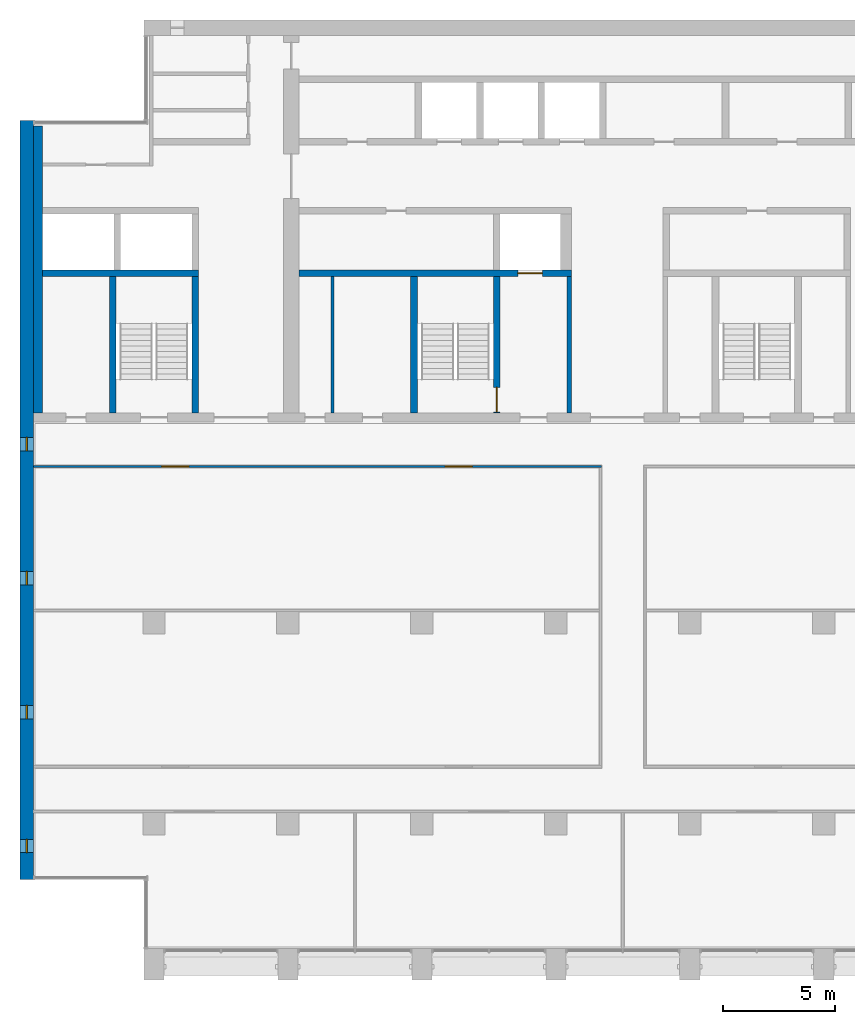
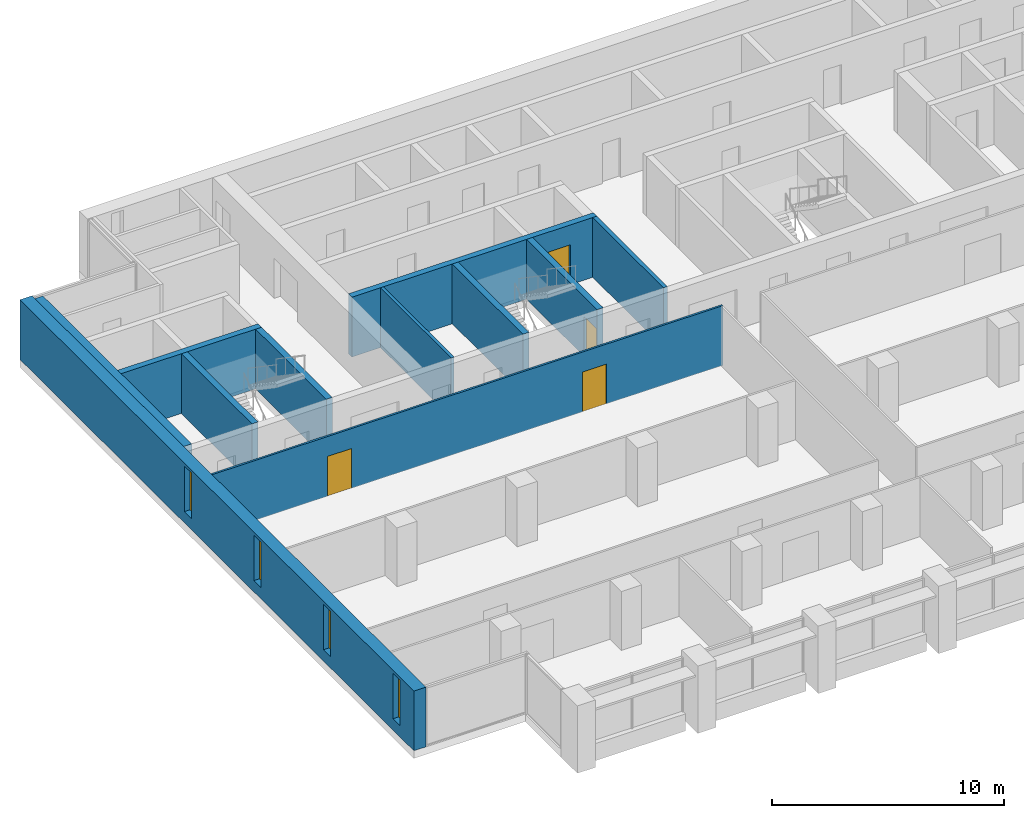
# One storey, part 8 of 16: 11 walls, 4 doors, 4 windows, 8 openings.
"""IFC4 building model written with IfcOpenShell, lengths in metres."""

from ifc_helpers import new_model, si_unit, direction, frame, frame_2d, origin, place, context, subcontext, project, spatial, rectangle, extrude, material, layer, layer_set, type_object, element, fill, save


model = new_model("IFC4")

# Units and contexts
model_context = context("Model", 3, precision=1e-05, world=origin(), true_north=direction((0.0, 1.0)))
body_context = subcontext(model_context, "Body", "Model", "MODEL_VIEW")
ifc_project = project(units=[si_unit("LENGTHUNIT", "METRE"), si_unit("AREAUNIT", "SQUARE_METRE"), si_unit("VOLUMEUNIT", "CUBIC_METRE"), si_unit("PLANEANGLEUNIT", "RADIAN"), si_unit("MASSUNIT", "GRAM", prefix="KILO")], contexts=[model_context])

# Site, building, storey
site_placement = place(None, origin())
site = spatial("IfcSite", under=ifc_project, at=site_placement, CompositionType="ELEMENT")
building_placement = place(site_placement, origin())
building = spatial("IfcBuilding", under=site, at=building_placement, Name="Calvaro Tower", CompositionType="ELEMENT")
storey_placement = place(building_placement, frame((0.0, 0.0, 223.0)))
storey = spatial("IfcBuildingStorey", under=building, at=storey_placement, Name="L56", CompositionType="ELEMENT", Elevation=223.0)

# Walls
ifc_material_1 = material(Name="Blockwork partition", Category="masonry")
ifc_layer_1 = layer(ifc_material_1, 0.14990234375)
ifc_layer_set_1 = layer_set([ifc_layer_1], Name="Blockwork partition")
wall_type_1 = type_object("IfcWallType", Name="Core partition 150 REI 120", PredefinedType="PARTITIONING", material=ifc_layer_set_1)
wall_1_placement = place(storey_placement, frame((20.0, 28.39990234375, 0.0), z_axis=(0.0, 0.0, 1.0), x_axis=(0.0, 1.0, 0.0)))
element("IfcWall", 1, at=wall_1_placement, inside=storey, type_object=wall_type_1, Name="Core partition", PredefinedType="PARTITIONING", context=body_context, shape_type="SweptSolid", body=[
    extrude(rectangle(XDim=6.10009765625, YDim=0.14990234375, at=frame_2d((3.050048828125, 0.0))), origin(), (0.0, 0.0, 1.0), 3.14990234375),
])
ifc_material_2 = material(Name="Blockwork partition", Category="masonry")
ifc_layer_2 = layer(ifc_material_2, 0.199951171875)
ifc_layer_set_2 = layer_set([ifc_layer_2], Name="Blockwork partition")
wall_type_2 = type_object("IfcWallType", Name="Core partition 200 REI 120", PredefinedType="PARTITIONING", material=ifc_layer_set_2)
wall_2_placement = place(storey_placement, frame((30.60009765625, 28.39990234375, 0.0), z_axis=(0.0, 0.0, 1.0), x_axis=(0.0, 1.0, 0.0)))
element("IfcWall", 2, at=wall_2_placement, inside=storey, type_object=wall_type_2, Name="Core partition", PredefinedType="PARTITIONING", context=body_context, shape_type="SweptSolid", body=[
    extrude(rectangle(XDim=6.10009765625, YDim=0.199951171875, at=frame_2d((3.050048828125, 0.0))), origin(), (0.0, 0.0, 1.0), 3.14990234375),
])
ifc_material_3 = material(Name="Concrete C50/60", Category="concrete")
ifc_layer_3 = layer(ifc_material_3, 0.300048828125)
ifc_layer_set_3 = layer_set([ifc_layer_3], Name="Concrete C50/60")
wall_type_3 = type_object("IfcWallType", Name="Core wall C50/60 300", PredefinedType="SHEAR", material=ifc_layer_set_3)
for number, where, z_axis, x_axis, name in (
    (3, (10.14990234375, 28.39990234375, 0.0), (0.0, 0.0, 1.0), (0.0, 1.0, 0.0), "Core wall, stair enclosure"),
    (4, (13.85009765625, 28.39990234375, 0.0), (0.0, 0.0, 1.0), (0.0, 1.0, 0.0), "Core wall, stair enclosure"),
    (5, (23.64990234375, 28.39990234375, 0.0), (0.0, 0.0, 1.0), (0.0, 1.0, 0.0), "Core wall, stair enclosure"),
):
    element("IfcWall", number, at=place(storey_placement, frame(where, z_axis=z_axis, x_axis=x_axis)), inside=storey, type_object=wall_type_3, Name=name, PredefinedType="SHEAR", context=body_context, shape_type="SweptSolid", body=[
        extrude(rectangle(XDim=6.10009765625, YDim=0.300048828125, at=frame_2d((3.050048828125, 0.0))), origin(), (0.0, 0.0, 1.0), 3.14990234375),
    ])

# Wall, opening, door
wall_3_placement = place(storey_placement, frame((27.35009765625, 28.39990234375, 0.0), z_axis=(0.0, 0.0, 1.0), x_axis=(0.0, 1.0, 0.0)))
wall_3 = element("IfcWall", 6, at=wall_3_placement, inside=storey, type_object=wall_type_3, Name="Core wall, stair enclosure", PredefinedType="SHEAR", context=body_context, shape_type="SweptSolid", body=[
    extrude(rectangle(XDim=6.10009765625, YDim=0.300048828125, at=frame_2d((3.050048828125, 0.0))), origin(), (0.0, 0.0, 1.0), 3.14990234375),
])
opening_1_placement = place(wall_3_placement, frame((0.050048828125, 0.0, 0.0)))
opening_1 = element("IfcOpeningElement", 7, at=opening_1_placement, cuts=wall_3, Name="Opening FD11D", PredefinedType="OPENING", context=body_context, shape_type="SweptSolid", body=[
    extrude(rectangle(XDim=1.10009765625, YDim=2.10009765625, at=frame_2d((0.550048828125, 1.050048828125))), frame((0.0, 0.159912109375, 0.0), z_axis=(0.0, -1.0, 0.0), x_axis=(1.0, 0.0, 0.0)), (0.0, 0.0, 1.0), 0.320068359375),
])
ifc_material_4 = material(Name="Steel door set", Category="steel")
door_type_1 = type_object("IfcDoorType", Name="Fire door 1100 FD30S", OperationType="SINGLE_SWING_LEFT", PredefinedType="DOOR", material=ifc_material_4)
door_1_placement = place(opening_1_placement, origin())
door_1 = element("IfcDoor", 8, at=door_1_placement, inside=storey, type_object=door_type_1, Name="Fire door", OperationType="SINGLE_SWING_LEFT", OverallHeight=2.10009765625, OverallWidth=1.10009765625, PredefinedType="DOOR", context=body_context, shape_type="SweptSolid", body=[
    extrude(rectangle(XDim=1.10009765625, YDim=2.10009765625, at=frame_2d((0.550048828125, 1.050048828125))), frame((0.0, 0.02490234375, 0.0), z_axis=(0.0, -1.0, 0.0), x_axis=(1.0, 0.0, 0.0)), (0.0, 0.0, 1.0), 0.050048828125),
])
fill(opening_1, door_1)

# Wall
wall_4_placement = place(storey_placement, frame((7.0, 34.64990234375, 0.0), z_axis=(0.0, 0.0, 1.0), x_axis=(1.0, 0.0, 0.0)))
element("IfcWall", 9, at=wall_4_placement, inside=storey, type_object=wall_type_3, Name="Core wall, lift shaft", PredefinedType="SHEAR", context=body_context, shape_type="SweptSolid", body=[
    extrude(rectangle(XDim=7.0, YDim=0.300048828125, at=frame_2d((3.5, 0.0))), origin(), (0.0, 0.0, 1.0), 3.14990234375),
])

# Wall, opening, door
wall_5_placement = place(storey_placement, frame((18.5, 34.64990234375, 0.0), z_axis=(0.0, 0.0, 1.0), x_axis=(1.0, 0.0, 0.0)))
wall_5 = element("IfcWall", 10, at=wall_5_placement, inside=storey, type_object=wall_type_3, Name="Core wall, lift shaft", PredefinedType="SHEAR", context=body_context, shape_type="SweptSolid", body=[
    extrude(rectangle(XDim=12.199951171875, YDim=0.300048828125, at=frame_2d((6.10009765625, 0.0))), origin(), (0.0, 0.0, 1.0), 3.14990234375),
])
opening_2_placement = place(wall_5_placement, frame((9.800048828125, 0.0, 0.0)))
opening_2 = element("IfcOpeningElement", 11, at=opening_2_placement, cuts=wall_5, Name="Opening FF1", PredefinedType="OPENING", context=body_context, shape_type="SweptSolid", body=[
    extrude(rectangle(XDim=1.10009765625, YDim=2.10009765625, at=frame_2d((0.550048828125, 1.050048828125))), frame((0.0, 0.159912109375, 0.0), z_axis=(0.0, -1.0, 0.0), x_axis=(1.0, 0.0, 0.0)), (0.0, 0.0, 1.0), 0.320068359375),
])
ifc_material_5 = material(Name="Stainless steel", Category="steel")
door_type_2 = type_object("IfcDoorType", Name="Landing door 1100 E 60", OperationType="SLIDING_TO_LEFT", PredefinedType="DOOR", material=ifc_material_5)
door_2_placement = place(opening_2_placement, origin())
door_2 = element("IfcDoor", 12, at=door_2_placement, inside=storey, type_object=door_type_2, Name="Landing door FF1", OperationType="SLIDING_TO_LEFT", OverallHeight=2.10009765625, OverallWidth=1.10009765625, PredefinedType="DOOR", context=body_context, shape_type="SweptSolid", body=[
    extrude(rectangle(XDim=1.10009765625, YDim=2.10009765625, at=frame_2d((0.550048828125, 1.050048828125))), frame((0.0, 0.02490234375, 0.0), z_axis=(0.0, -1.0, 0.0), x_axis=(1.0, 0.0, 0.0)), (0.0, 0.0, 1.0), 0.050048828125),
])
fill(opening_2, door_2)

# Wall
ifc_material_6 = material(Name="Concrete C50/60", Category="concrete")
ifc_layer_4 = layer(ifc_material_6, 0.39990234375)
ifc_layer_set_4 = layer_set([ifc_layer_4], Name="Concrete C50/60")
wall_type_4 = type_object("IfcWallType", Name="Core wall C50/60 400", PredefinedType="SHEAR", material=ifc_layer_set_4)
wall_6_placement = place(storey_placement, frame((6.800048828125, 28.39990234375, 0.0), z_axis=(0.0, 0.0, 1.0), x_axis=(0.0, 1.0, 0.0)))
element("IfcWall", 13, at=wall_6_placement, inside=storey, type_object=wall_type_4, Name="Core wall, boundary", PredefinedType="SHEAR", context=body_context, shape_type="SweptSolid", body=[
    extrude(rectangle(XDim=12.85009765625, YDim=0.39990234375, at=frame_2d((6.425048828125, 0.0))), origin(), (0.0, 0.0, 1.0), 3.14990234375),
])

# Wall, openings, windows
ifc_material_7 = material(Name="Concrete C50/60", Category="concrete")
ifc_layer_5 = layer(ifc_material_7, 0.60009765625)
ifc_layer_set_5 = layer_set([ifc_layer_5], Name="Concrete C50/60")
wall_type_5 = type_object("IfcWallType", Name="End wall 600 C50/60", PredefinedType="SHEAR", material=ifc_layer_set_5)
wall_7_placement = place(storey_placement, frame((6.300048828125, 7.5, 0.0), z_axis=(0.0, 0.0, 1.0), x_axis=(0.0, 1.0, 0.0)))
wall_7 = element("IfcWall", 14, at=wall_7_placement, inside=storey, type_object=wall_type_5, Name="End shear wall", PredefinedType="SHEAR", context=body_context, shape_type="SweptSolid", body=[
    extrude(rectangle(XDim=34.0, YDim=0.60009765625, at=frame_2d((17.0, 0.0))), origin(), (0.0, 0.0, 1.0), 3.14990234375),
])
opening_3_placement = place(wall_7_placement, frame((1.199951171875, 0.0, 0.60009765625)))
opening_3 = element("IfcOpeningElement", 15, at=opening_3_placement, cuts=wall_7, Name="Opening WW01", PredefinedType="OPENING", context=body_context, shape_type="SweptSolid", body=[
    extrude(rectangle(XDim=0.60009765625, YDim=2.39990234375, at=frame_2d((0.300048828125, 1.199951171875))), frame((0.0, 0.31005859375, 0.0), z_axis=(0.0, -1.0, 0.0), x_axis=(1.0, 0.0, 0.0)), (0.0, 0.0, 1.0), 0.6201171875),
])
opening_4_placement = place(wall_7_placement, frame((7.199951171875, 0.0, 0.60009765625)))
opening_4 = element("IfcOpeningElement", 16, at=opening_4_placement, cuts=wall_7, Name="Opening WW02", PredefinedType="OPENING", context=body_context, shape_type="SweptSolid", body=[
    extrude(rectangle(XDim=0.60009765625, YDim=2.39990234375, at=frame_2d((0.300048828125, 1.199951171875))), frame((0.0, 0.31005859375, 0.0), z_axis=(0.0, -1.0, 0.0), x_axis=(1.0, 0.0, 0.0)), (0.0, 0.0, 1.0), 0.6201171875),
])
opening_5_placement = place(wall_7_placement, frame((13.199951171875, 0.0, 0.60009765625)))
opening_5 = element("IfcOpeningElement", 17, at=opening_5_placement, cuts=wall_7, Name="Opening WW03", PredefinedType="OPENING", context=body_context, shape_type="SweptSolid", body=[
    extrude(rectangle(XDim=0.60009765625, YDim=2.39990234375, at=frame_2d((0.300048828125, 1.199951171875))), frame((0.0, 0.31005859375, 0.0), z_axis=(0.0, -1.0, 0.0), x_axis=(1.0, 0.0, 0.0)), (0.0, 0.0, 1.0), 0.6201171875),
])
opening_6_placement = place(wall_7_placement, frame((19.199951171875, 0.0, 0.60009765625)))
opening_6 = element("IfcOpeningElement", 18, at=opening_6_placement, cuts=wall_7, Name="Opening WW04", PredefinedType="OPENING", context=body_context, shape_type="SweptSolid", body=[
    extrude(rectangle(XDim=0.60009765625, YDim=2.39990234375, at=frame_2d((0.300048828125, 1.199951171875))), frame((0.0, 0.31005859375, 0.0), z_axis=(0.0, -1.0, 0.0), x_axis=(1.0, 0.0, 0.0)), (0.0, 0.0, 1.0), 0.6201171875),
])
ifc_material_8 = material(Name="Glass", Category="glass")
window_type = type_object("IfcWindowType", Name="Slit window 600 x 2400", PartitioningType="SINGLE_PANEL", PredefinedType="WINDOW", material=ifc_material_8)
window_1_placement = place(opening_3_placement, origin())
window_1 = element("IfcWindow", 19, at=window_1_placement, inside=storey, type_object=window_type, Name="Window WW01", OverallHeight=2.39990234375, OverallWidth=0.60009765625, PartitioningType="SINGLE_PANEL", PredefinedType="WINDOW", context=body_context, shape_type="SweptSolid", body=[
    extrude(rectangle(XDim=0.60009765625, YDim=2.39990234375, at=frame_2d((0.300048828125, 1.199951171875))), frame((0.0, 0.030029296875, 0.0), z_axis=(0.0, -1.0, 0.0), x_axis=(1.0, 0.0, 0.0)), (0.0, 0.0, 1.0), 0.06005859375),
])
fill(opening_3, window_1)
window_2_placement = place(opening_4_placement, origin())
window_2 = element("IfcWindow", 20, at=window_2_placement, inside=storey, type_object=window_type, Name="Window WW02", OverallHeight=2.39990234375, OverallWidth=0.60009765625, PartitioningType="SINGLE_PANEL", PredefinedType="WINDOW", context=body_context, shape_type="SweptSolid", body=[
    extrude(rectangle(XDim=0.60009765625, YDim=2.39990234375, at=frame_2d((0.300048828125, 1.199951171875))), frame((0.0, 0.030029296875, 0.0), z_axis=(0.0, -1.0, 0.0), x_axis=(1.0, 0.0, 0.0)), (0.0, 0.0, 1.0), 0.06005859375),
])
fill(opening_4, window_2)
window_3_placement = place(opening_5_placement, origin())
window_3 = element("IfcWindow", 21, at=window_3_placement, inside=storey, type_object=window_type, Name="Window WW03", OverallHeight=2.39990234375, OverallWidth=0.60009765625, PartitioningType="SINGLE_PANEL", PredefinedType="WINDOW", context=body_context, shape_type="SweptSolid", body=[
    extrude(rectangle(XDim=0.60009765625, YDim=2.39990234375, at=frame_2d((0.300048828125, 1.199951171875))), frame((0.0, 0.030029296875, 0.0), z_axis=(0.0, -1.0, 0.0), x_axis=(1.0, 0.0, 0.0)), (0.0, 0.0, 1.0), 0.06005859375),
])
fill(opening_5, window_3)
window_4_placement = place(opening_6_placement, origin())
window_4 = element("IfcWindow", 22, at=window_4_placement, inside=storey, type_object=window_type, Name="Window WW04", OverallHeight=2.39990234375, OverallWidth=0.60009765625, PartitioningType="SINGLE_PANEL", PredefinedType="WINDOW", context=body_context, shape_type="SweptSolid", body=[
    extrude(rectangle(XDim=0.60009765625, YDim=2.39990234375, at=frame_2d((0.300048828125, 1.199951171875))), frame((0.0, 0.030029296875, 0.0), z_axis=(0.0, -1.0, 0.0), x_axis=(1.0, 0.0, 0.0)), (0.0, 0.0, 1.0), 0.06005859375),
])
fill(opening_6, window_4)

# Wall, openings, doors
ifc_material_9 = material(Name="Plasterboard on steel studs", Category="steel")
ifc_layer_6 = layer(ifc_material_9, 0.10009765625)
ifc_layer_set_6 = layer_set([ifc_layer_6], Name="Plasterboard on steel studs")
wall_type_6 = type_object("IfcWallType", Name="Partition 100", PredefinedType="PARTITIONING", material=ifc_layer_set_6)
wall_8_placement = place(storey_placement, frame((6.60009765625, 26.0, 0.0), z_axis=(0.0, 0.0, 1.0), x_axis=(1.0, 0.0, 0.0)))
wall_8 = element("IfcWall", 23, at=wall_8_placement, inside=storey, type_object=wall_type_6, Name="Partition T32.W008", PredefinedType="PARTITIONING", context=body_context, shape_type="SweptSolid", body=[
    extrude(rectangle(XDim=25.449951171875, YDim=0.10009765625, at=frame_2d((12.72509765625, 0.0))), origin(), (0.0, 0.0, 1.0), 3.14990234375),
])
opening_7_placement = place(wall_8_placement, frame((5.75, 0.0, 0.0)))
opening_7 = element("IfcOpeningElement", 24, at=opening_7_placement, cuts=wall_8, Name="Opening T32.012", PredefinedType="OPENING", context=body_context, shape_type="SweptSolid", body=[
    extrude(rectangle(XDim=1.199951171875, YDim=2.10009765625, at=frame_2d((0.60009765625, 1.050048828125))), frame((0.0, 0.06005859375, 0.0), z_axis=(0.0, -1.0, 0.0), x_axis=(1.0, 0.0, 0.0)), (0.0, 0.0, 1.0), 0.1201171875),
])
opening_8_placement = place(wall_8_placement, frame((18.449951171875, 0.0, 0.0)))
opening_8 = element("IfcOpeningElement", 25, at=opening_8_placement, cuts=wall_8, Name="Opening T32.013", PredefinedType="OPENING", context=body_context, shape_type="SweptSolid", body=[
    extrude(rectangle(XDim=1.199951171875, YDim=2.10009765625, at=frame_2d((0.60009765625, 1.050048828125))), frame((0.0, 0.06005859375, 0.0), z_axis=(0.0, -1.0, 0.0), x_axis=(1.0, 0.0, 0.0)), (0.0, 0.0, 1.0), 0.1201171875),
])
ifc_material_10 = material(Name="Timber", Category="wood")
door_type_3 = type_object("IfcDoorType", Name="Internal single door 1200 x 2100", OperationType="SINGLE_SWING_LEFT", PredefinedType="DOOR", material=ifc_material_10)
door_3_placement = place(opening_7_placement, origin())
door_3 = element("IfcDoor", 26, at=door_3_placement, inside=storey, type_object=door_type_3, Name="Door T32.012", OperationType="SINGLE_SWING_LEFT", OverallHeight=2.10009765625, OverallWidth=1.199951171875, PredefinedType="DOOR", context=body_context, shape_type="SweptSolid", body=[
    extrude(rectangle(XDim=1.199951171875, YDim=2.10009765625, at=frame_2d((0.60009765625, 1.050048828125))), frame((0.0, 0.02490234375, 0.0), z_axis=(0.0, -1.0, 0.0), x_axis=(1.0, 0.0, 0.0)), (0.0, 0.0, 1.0), 0.050048828125),
])
fill(opening_7, door_3)
door_4_placement = place(opening_8_placement, origin())
door_4 = element("IfcDoor", 27, at=door_4_placement, inside=storey, type_object=door_type_3, Name="Door T32.013", OperationType="SINGLE_SWING_RIGHT", OverallHeight=2.10009765625, OverallWidth=1.199951171875, PredefinedType="DOOR", context=body_context, shape_type="SweptSolid", body=[
    extrude(rectangle(XDim=1.199951171875, YDim=2.10009765625, at=frame_2d((0.60009765625, 1.050048828125))), frame((0.0, 0.02490234375, 0.0), z_axis=(0.0, -1.0, 0.0), x_axis=(1.0, 0.0, 0.0)), (0.0, 0.0, 1.0), 0.050048828125),
])
fill(opening_8, door_4)

save(model, "model.ifc")
